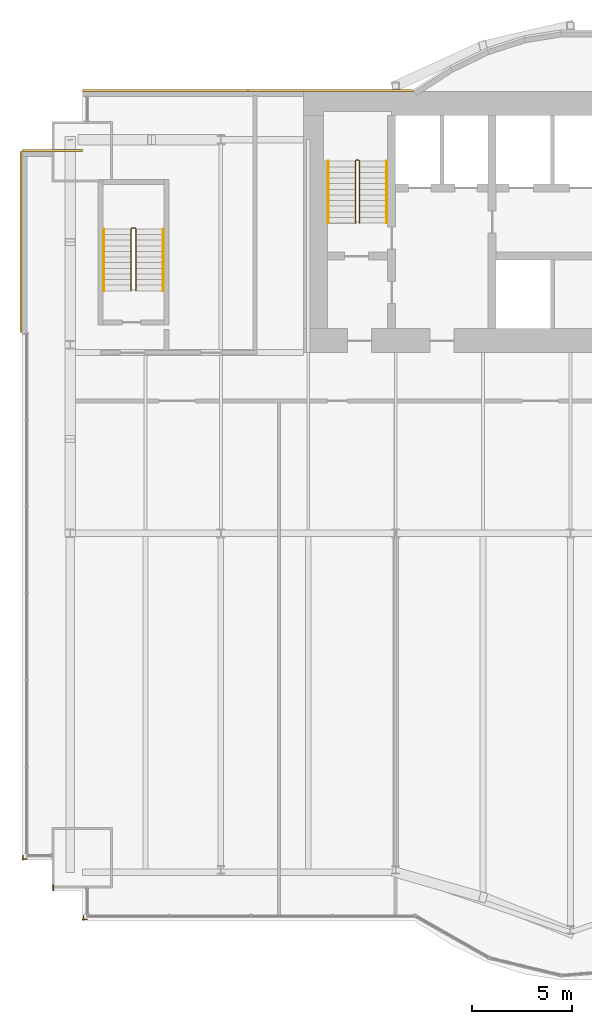
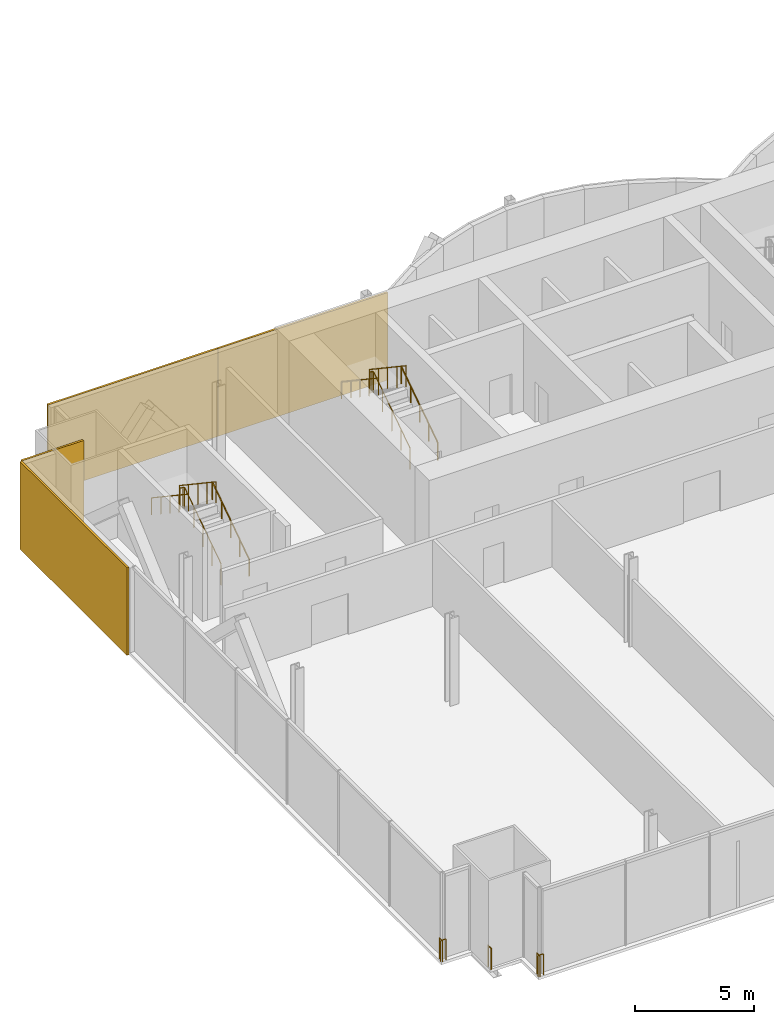
# One storey, part 19 of 21: 9 railings, 4 coverings.
"""IFC4 building model written with IfcOpenShell, lengths in metres."""

import ifcopenshell
import ifcopenshell.guid

model = None  # the IFC model being written
_history = None  # IfcOwnerHistory: only IFC2X3 demands one
_inside = {}  # id of a spatial element -> (the spatial element, [elements in it])
_under = {}  # id of a project, library or spatial element -> (it, [spatial elements below it])
_declared = {}  # id of a project -> (the project, [libraries it declares])
_typed = {}  # id of a type object -> (the type object, [elements of that type])
_made_of = {}  # id of a material, layer set ... -> (it, [elements and type objects made of it])


def new_model(schema):
    """Start an empty IFC model of exactly this schema.

    Asked for "IFC4X3", IfcOpenShell would pick the latest addendum, in which some entities
    have other attributes; the version numbers below select the first issue.
    IFC2X3 requires an IfcOwnerHistory on every rooted entity: one is made here for all.
    """
    global model, _history
    if schema == "IFC4X3":
        model = ifcopenshell.file(schema_version=(4, 3, 0, 0))
    else:
        model = ifcopenshell.file(schema=schema)
    _inside.clear()
    _under.clear()
    _declared.clear()
    _typed.clear()
    _made_of.clear()
    _history = None
    if model.schema == "IFC2X3":
        org = make("IfcOrganization", Name="unknown")
        user = make(
            "IfcPersonAndOrganization",
            ThePerson=make("IfcPerson", FamilyName="unknown"),
            TheOrganization=org,
        )
        app = make(
            "IfcApplication",
            ApplicationDeveloper=org,
            Version="unknown",
            ApplicationFullName="unknown",
            ApplicationIdentifier="unknown",
        )
        _history = make(
            "IfcOwnerHistory",
            OwningUser=user,
            OwningApplication=app,
            ChangeAction="ADDED",
            CreationDate=0,
        )
    return model


def make(cls, **values):
    """One entity of the class cls with the attributes given. An attribute that is None is left unset."""
    return model.create_entity(
        cls, **{name: value for name, value in values.items() if value is not None}
    )


def rooted(cls, **values):
    """An entity with a GlobalId (a new one), such as an element, a storey or a relation."""
    return make(cls, GlobalId=ifcopenshell.guid.new(), OwnerHistory=_history, **values)


def si_unit(unit_type, name, prefix=None):
    """IfcSIUnit, for example si_unit("LENGTHUNIT", "METRE", prefix="MILLI")."""
    return make("IfcSIUnit", UnitType=unit_type, Prefix=prefix, Name=name)


def assignment(units):
    """IfcUnitAssignment: the units of a project."""
    return None if units is None else make("IfcUnitAssignment", Units=units)


def point(xyz):
    """IfcCartesianPoint."""
    return None if xyz is None else make("IfcCartesianPoint", Coordinates=xyz)


def direction(xyz):
    """IfcDirection."""
    return None if xyz is None else make("IfcDirection", DirectionRatios=xyz)


def frame(location, z_axis=None, x_axis=None):
    """IfcAxis2Placement3D, a coordinate frame: its origin and axes. An axis left out is left unset."""
    return make(
        "IfcAxis2Placement3D",
        Location=point(location),
        Axis=direction(z_axis),
        RefDirection=direction(x_axis),
    )


def frame_2d(location, x_axis=None):
    """IfcAxis2Placement2D, a coordinate frame in the plane: its origin and x axis."""
    return make(
        "IfcAxis2Placement2D", Location=point(location), RefDirection=direction(x_axis)
    )


def origin():
    """The frame at (0, 0, 0) with its axes left unset."""
    return frame((0.0, 0.0, 0.0))


def origin_2d():
    """The frame at (0, 0) in the plane with its x axis left unset."""
    return frame_2d((0.0, 0.0))


def place(relative_to, where):
    """IfcLocalPlacement: puts the frame where relative to a parent placement (None: the world)."""
    return make(
        "IfcLocalPlacement", PlacementRelTo=relative_to, RelativePlacement=where
    )


def context(
    kind, dimensions, precision=None, world=None, true_north=None, identifier=None
):
    """IfcGeometricRepresentationContext, for example the 3D "Model" context."""
    return make(
        "IfcGeometricRepresentationContext",
        ContextIdentifier=identifier,
        ContextType=kind,
        CoordinateSpaceDimension=dimensions,
        Precision=precision,
        WorldCoordinateSystem=world,
        TrueNorth=true_north,
    )


def subcontext(parent, identifier, kind, view, scale=None):
    """IfcGeometricRepresentationSubContext, for example "Body" below "Model"."""
    return make(
        "IfcGeometricRepresentationSubContext",
        ContextIdentifier=identifier,
        ContextType=kind,
        ParentContext=parent,
        TargetScale=scale,
        TargetView=view,
    )


def project(units=None, contexts=None):
    """IfcProject with its units and contexts."""
    return rooted(
        "IfcProject",
        Name="project",
        RepresentationContexts=contexts,
        UnitsInContext=assignment(units),
    )


def spatial(cls, under=None, at=None, **own):
    """A site, building, storey or space (cls), placed at a placement, below another one or the project."""
    s = rooted(cls, ObjectPlacement=at, **own)
    if under is not None:
        _under.setdefault(under.id(), (under, []))[1].append(s)
    return s


def profile(cls, at=None, kind="AREA", **sizes):
    """A parametric profile (cls). Its sizes go by their IFC names, for example OverallWidth=200.0."""
    return make(cls, ProfileType=kind, Position=at, **sizes)


def rectangle(**sizes):
    """IfcRectangleProfileDef."""
    return profile("IfcRectangleProfileDef", **sizes)


def circle(**sizes):
    """IfcCircleProfileDef."""
    return profile("IfcCircleProfileDef", **sizes)


def extrude(swept, where, along, depth):
    """IfcExtrudedAreaSolid: the profile swept, set in the frame where, extruded along a direction by depth."""
    return make(
        "IfcExtrudedAreaSolid",
        SweptArea=swept,
        Position=where,
        ExtrudedDirection=direction(along),
        Depth=depth,
    )


def shape(context_of_items, identifier, shape_type, items):
    """IfcShapeRepresentation: the items that make up one representation, for example the "Body"."""
    return make(
        "IfcShapeRepresentation",
        ContextOfItems=context_of_items,
        RepresentationIdentifier=identifier,
        RepresentationType=shape_type,
        Items=items,
    )


def material(Name=None, Category=None):
    """IfcMaterial."""
    return make("IfcMaterial", Name=Name, Category=Category)


def layer(
    of_material, thickness, ventilated=None, Name=None, Category=None, Priority=None
):
    """IfcMaterialLayer: one layer of a wall or slab, of a material (None: an air gap)."""
    return make(
        "IfcMaterialLayer",
        Material=of_material,
        LayerThickness=thickness,
        IsVentilated=ventilated,
        Name=Name,
        Category=Category,
        Priority=Priority,
    )


def layer_set(layers, Name=None):
    """IfcMaterialLayerSet."""
    return make("IfcMaterialLayerSet", MaterialLayers=layers, LayerSetName=Name)


def made_of(thing, what):
    """Note that an element or type object is made of a material, layer set ...; save() writes the relation."""
    if what is not None:
        _made_of.setdefault(what.id(), (what, []))[1].append(thing)
    return thing


def type_object(cls, material=None, **own):
    """A type object (cls), such as IfcWallType, which elements share."""
    return made_of(rooted(cls, **own), material)


def element(
    cls,
    number,
    at=None,
    inside=None,
    cuts=None,
    type_object=None,
    material=None,
    context=None,
    identifier="Body",
    shape_type=None,
    held_by="IfcProductDefinitionShape",
    body=None,
    shapes=None,
    **own,
):
    """One element of the class cls, such as IfcWall. Its Tag is "e" and its number.

    at: its placement. inside: the storey or other place that contains it. cuts: it is an
    opening in that element (IfcRelVoidsElement). A single representation is given by context,
    identifier, shape_type and body (its items); several are given by shapes. held_by: the class
    of the entity that holds the representations. save() writes the other relations.
    """
    e = rooted(cls, Tag="e%d" % number, ObjectPlacement=at, **own)
    if body is not None:
        shapes = [shape(context, identifier, shape_type, body)]
    if shapes is not None:
        e.Representation = make(held_by, Representations=shapes)
    if inside is not None:
        _inside.setdefault(inside.id(), (inside, []))[1].append(e)
    if cuts is not None:
        rooted(
            "IfcRelVoidsElement", RelatingBuildingElement=cuts, RelatedOpeningElement=e
        )
    if type_object is not None:
        _typed.setdefault(type_object.id(), (type_object, []))[1].append(e)
    return made_of(e, material)


def aggregate(whole, parts):
    """IfcRelAggregates: a whole, such as a stair, and the parts it consists of."""
    return rooted("IfcRelAggregates", RelatingObject=whole, RelatedObjects=parts)


def save(model, path):
    """Write the relations noted so far, then the file.

    IfcRelAggregates (storeys below a building ...), IfcRelContainedInSpatialStructure (elements
    in a storey), IfcRelDefinesByType, IfcRelAssociatesMaterial and IfcRelDeclares: one each for
    every whole, place, type object, material and project.
    """
    for whole, parts in _under.values():
        aggregate(whole, parts)
    for where, things in _inside.values():
        rooted(
            "IfcRelContainedInSpatialStructure",
            RelatedElements=things,
            RelatingStructure=where,
        )
    for kind, things in _typed.values():
        rooted("IfcRelDefinesByType", RelatedObjects=things, RelatingType=kind)
    for what, things in _made_of.values():
        rooted("IfcRelAssociatesMaterial", RelatedObjects=things, RelatingMaterial=what)
    for by, libraries in _declared.values():
        rooted("IfcRelDeclares", RelatingContext=by, RelatedDefinitions=libraries)
    model.write(path)


model = new_model("IFC4")

# Units and contexts
model_context = context("Model", 3, precision=1e-05, world=origin(), true_north=direction((0.0, 1.0)))
body_context = subcontext(model_context, "Body", "Model", "MODEL_VIEW")
ifc_project = project(units=[si_unit("LENGTHUNIT", "METRE"), si_unit("AREAUNIT", "SQUARE_METRE"), si_unit("VOLUMEUNIT", "CUBIC_METRE"), si_unit("PLANEANGLEUNIT", "RADIAN"), si_unit("MASSUNIT", "GRAM", prefix="KILO")], contexts=[model_context])

# Site, building, storey
site_placement = place(None, origin())
site = spatial("IfcSite", under=ifc_project, at=site_placement, CompositionType="ELEMENT")
building_placement = place(site_placement, origin())
building = spatial("IfcBuilding", under=site, at=building_placement, Name="Bicima Exchange Tower", CompositionType="ELEMENT")
storey_placement = place(building_placement, frame((0.0, 0.0, 48.5)))
storey = spatial("IfcBuildingStorey", under=building, at=storey_placement, Name="L09", CompositionType="ELEMENT", Elevation=48.5)

# Coverings
ifc_material_1 = material(Name="Bronze metal cladding")
ifc_layer_1 = layer(ifc_material_1, 0.004)
ifc_material_2 = material(Name="Ventilated cavity")
ifc_layer_2 = layer(ifc_material_2, 0.06)
ifc_material_3 = material(Name="Galvanised steel rail and mineral wool", Category="steel")
ifc_layer_3 = layer(ifc_material_3, 0.036)
ifc_layer_set = layer_set([ifc_layer_1, ifc_layer_2, ifc_layer_3], Name="Ventilated cavity")
covering_type = type_object("IfcCoveringType", Name="Bronze metal cladding panel 100", PredefinedType="CLADDING", material=ifc_layer_set)
for number, where, z_axis, x_axis, name in (
    (1, (-20.625, 0.050048828125, -0.14990234375), (0.0, 0.0, 1.0), (-1.0, 0.0, 0.0), "Bronze cladding L09 20.1"),
    (2, (-28.875, 0.050048828125, -0.14990234375), (0.0, 0.0, 1.0), (-1.0, 0.0, 0.0), "Bronze cladding L09 20.2"),
):
    element("IfcCovering", number, at=place(storey_placement, frame(where, z_axis=z_axis, x_axis=x_axis)), inside=storey, type_object=covering_type, Name=name, PredefinedType="CLADDING", context=body_context, shape_type="SweptSolid", body=[
        extrude(rectangle(XDim=8.25, YDim=0.10009765625, at=origin_2d()), origin(), (0.0, 0.0, 1.0), 4.5),
    ])
covering_1_placement = place(storey_placement, frame((-34.5, -2.949951171875, -0.14990234375), z_axis=(0.0, 0.0, 1.0), x_axis=(-1.0, 0.0, 0.0)))
element("IfcCovering", 3, at=covering_1_placement, inside=storey, type_object=covering_type, Name="Bronze cladding L09 22.1", PredefinedType="CLADDING", context=body_context, shape_type="SweptSolid", body=[
    extrude(rectangle(XDim=3.0, YDim=0.10009765625, at=origin_2d()), origin(), (0.0, 0.0, 1.0), 4.5),
])
covering_2_placement = place(storey_placement, frame((-36.050048828125, -7.5, -0.14990234375), z_axis=(0.0, 0.0, 1.0), x_axis=(0.0, -1.0, 0.0)))
element("IfcCovering", 4, at=covering_2_placement, inside=storey, type_object=covering_type, Name="Bronze cladding L09 23.1", PredefinedType="CLADDING", context=body_context, shape_type="SweptSolid", body=[
    extrude(rectangle(XDim=9.0, YDim=0.10009765625, at=origin_2d()), origin(), (0.0, 0.0, 1.0), 4.5),
])

# Railings
ifc_material_4 = material(Name="Stainless steel and bonded safety glass", Category="steel")
railing_type_1 = type_object("IfcRailingType", Name="Edge guard 1100", PredefinedType="GUARDRAIL", material=ifc_material_4)
railing_1_placement = place(storey_placement, frame((-35.75, -38.218017578125, 0.0)))
element("IfcRailing", 5, at=railing_1_placement, inside=storey, type_object=railing_type_1, Name="Edge guard L09 33", PredefinedType="GUARDRAIL", context=body_context, shape_type="SweptSolid", body=[
    extrude(circle(Radius=0.02392578125, at=origin_2d()), frame((0.0, 0.0, 1.076171875), z_axis=(-1.0, 0.0, 0.0), x_axis=(0.0, -1.0, 0.0)), (0.0, 0.0, 1.0), 0.25),
    extrude(circle(Radius=0.02392578125, at=origin_2d()), frame((-0.25, 0.0, 1.076171875), z_axis=(0.707106781187, -0.707106781187, 0.0), x_axis=(0.707106781187, 0.707106781187, 0.0)), (0.0, 0.0, 1.0), 0.07080078125),
    extrude(circle(Radius=0.02392578125, at=origin_2d()), frame((-0.199951171875, -0.050048828125, 1.076171875), z_axis=(0.0, 1.0, 0.0), x_axis=(-1.0, 0.0, 0.0)), (0.0, 0.0, 1.0), 0.248046875),
    extrude(circle(Radius=0.02099609375, at=origin_2d()), origin(), (0.0, 0.0, 1.0), 1.052001953125),
    extrude(circle(Radius=0.02099609375, at=origin_2d()), frame((-0.25, 0.0, 0.0)), (0.0, 0.0, 1.0), 1.052001953125),
    extrude(circle(Radius=0.02099609375, at=origin_2d()), frame((-0.199951171875, -0.050048828125, 0.0)), (0.0, 0.0, 1.0), 1.052001953125),
    extrude(circle(Radius=0.02099609375, at=origin_2d()), frame((-0.199951171875, 0.197998046875, 0.0)), (0.0, 0.0, 1.0), 1.052001953125),
])
railing_2_placement = place(storey_placement, frame((-32.75, -41.218017578125, 0.0)))
element("IfcRailing", 6, at=railing_2_placement, inside=storey, type_object=railing_type_1, Name="Edge guard L09 37", PredefinedType="GUARDRAIL", context=body_context, shape_type="SweptSolid", body=[
    extrude(circle(Radius=0.02392578125, at=origin_2d()), frame((0.0, 0.0, 1.076171875), z_axis=(-1.0, 0.0, 0.0), x_axis=(0.0, -1.0, 0.0)), (0.0, 0.0, 1.0), 0.25),
    extrude(circle(Radius=0.02392578125, at=origin_2d()), frame((-0.25, 0.0, 1.076171875), z_axis=(0.707106781187, -0.707106781187, 0.0), x_axis=(0.707106781187, 0.707106781187, 0.0)), (0.0, 0.0, 1.0), 0.07080078125),
    extrude(circle(Radius=0.02392578125, at=origin_2d()), frame((-0.199951171875, -0.050048828125, 1.076171875), z_axis=(0.0, 1.0, 0.0), x_axis=(-1.0, 0.0, 0.0)), (0.0, 0.0, 1.0), 0.25),
    extrude(circle(Radius=0.02099609375, at=origin_2d()), origin(), (0.0, 0.0, 1.0), 1.052001953125),
    extrude(circle(Radius=0.02099609375, at=origin_2d()), frame((-0.25, 0.0, 0.0)), (0.0, 0.0, 1.0), 1.052001953125),
    extrude(circle(Radius=0.02099609375, at=origin_2d()), frame((-0.199951171875, -0.050048828125, 0.0)), (0.0, 0.0, 1.0), 1.052001953125),
    extrude(circle(Radius=0.02099609375, at=origin_2d()), frame((-0.199951171875, 0.199951171875, 0.0)), (0.0, 0.0, 1.0), 1.052001953125),
])
railing_3_placement = place(storey_placement, frame((-34.449951171875, -39.76806640625, 0.0)))
element("IfcRailing", 7, at=railing_3_placement, inside=storey, type_object=railing_type_1, Name="Edge guard L09 38", PredefinedType="GUARDRAIL", context=body_context, shape_type="SweptSolid", body=[
    extrude(circle(Radius=0.02392578125, at=origin_2d()), frame((0.0, 0.0, 1.076171875), z_axis=(0.0, 1.0, 0.0), x_axis=(-1.0, 0.0, 0.0)), (0.0, 0.0, 1.0), 0.25),
    extrude(circle(Radius=0.02099609375, at=origin_2d()), origin(), (0.0, 0.0, 1.0), 1.052001953125),
    extrude(circle(Radius=0.02099609375, at=origin_2d()), frame((0.0, 0.25, 0.0)), (0.0, 0.0, 1.0), 1.052001953125),
])
ifc_material_5 = material(Name="Stainless steel", Category="steel")
railing_type_2 = type_object("IfcRailingType", Name="Stair guard 1100", PredefinedType="GUARDRAIL", material=ifc_material_5)
railing_4_placement = place(storey_placement, frame((-19.199951171875, -6.550048828125, 0.1875)))
element("IfcRailing", 8, at=railing_4_placement, inside=storey, type_object=railing_type_2, Name="L09 ST-W stair guard 1", PredefinedType="GUARDRAIL", context=body_context, shape_type="SweptSolid", body=[
    extrude(circle(Radius=0.02392578125, at=origin_2d()), frame((0.0, 0.0, 1.076171875), z_axis=(0.0, 0.830913701846, 0.55640131208), x_axis=(-1.0, 0.0, 0.0)), (0.0, 0.0, 1.0), 3.706787109375),
    extrude(circle(Radius=0.02392578125, at=origin_2d()), frame((0.0, 3.080078125, 3.138671875), z_axis=(-0.707106781187, 0.707106781187, 0.0), x_axis=(-0.707106781187, -0.707106781187, 0.0)), (0.0, 0.0, 1.0), 0.07080078125),
    extrude(circle(Radius=0.02392578125, at=origin_2d()), frame((-0.050048828125, 3.130126953125, 3.138671875), z_axis=(-1.0, 0.0, 0.0), x_axis=(0.0, -1.0, 0.0)), (0.0, 0.0, 1.0), 0.10009765625),
    extrude(circle(Radius=0.02392578125, at=origin_2d()), frame((-0.150146484375, 3.130126953125, 3.138671875), z_axis=(-0.248583702486, -0.249802250048, 0.935844527007), x_axis=(0.708833529934, -0.705375805398, 0.0)), (0.0, 0.0, 1.0), 0.200439453125),
    extrude(circle(Radius=0.02392578125, at=origin_2d()), frame((-0.199951171875, 3.080078125, 3.326171875), z_axis=(0.0, -0.830913701846, 0.55640131208), x_axis=(1.0, 0.0, 0.0)), (0.0, 0.0, 1.0), 3.706787109375),
    extrude(circle(Radius=0.02099609375, at=origin_2d()), origin(), (0.0, 0.0, 1.0), 1.052001953125),
    extrude(circle(Radius=0.02099609375, at=origin_2d()), frame((0.0, 0.77001953125, 0.515625)), (0.0, 0.0, 1.0), 1.052001953125),
    extrude(circle(Radius=0.02099609375, at=origin_2d()), frame((0.0, 1.5400390625, 1.03125)), (0.0, 0.0, 1.0), 1.052001953125),
    extrude(circle(Radius=0.02099609375, at=origin_2d()), frame((0.0, 2.31005859375, 1.546875)), (0.0, 0.0, 1.0), 1.052001953125),
    extrude(circle(Radius=0.02099609375, at=origin_2d()), frame((0.0, 3.080078125, 2.0625)), (0.0, 0.0, 1.0), 1.052001953125),
    extrude(circle(Radius=0.02099609375, at=origin_2d()), frame((-0.050048828125, 3.130126953125, 2.0625)), (0.0, 0.0, 1.0), 1.052001953125),
    extrude(circle(Radius=0.02099609375, at=origin_2d()), frame((-0.150146484375, 3.130126953125, 2.0625)), (0.0, 0.0, 1.0), 1.052001953125),
    extrude(circle(Radius=0.02099609375, at=origin_2d()), frame((-0.199951171875, 3.080078125, 2.25)), (0.0, 0.0, 1.0), 1.052001953125),
    extrude(circle(Radius=0.02099609375, at=origin_2d()), frame((-0.199951171875, 2.31005859375, 2.765625)), (0.0, 0.0, 1.0), 1.052001953125),
    extrude(circle(Radius=0.02099609375, at=origin_2d()), frame((-0.199951171875, 1.5400390625, 3.28125)), (0.0, 0.0, 1.0), 1.052001953125),
    extrude(circle(Radius=0.02099609375, at=origin_2d()), frame((-0.199951171875, 0.77001953125, 3.796875)), (0.0, 0.0, 1.0), 1.052001953125),
    extrude(circle(Radius=0.02099609375, at=origin_2d()), frame((-0.199951171875, 0.0, 4.3125)), (0.0, 0.0, 1.0), 1.052001953125),
])
railing_5_placement = place(storey_placement, frame((-30.324951171875, -9.925048828125, 0.1875)))
element("IfcRailing", 9, at=railing_5_placement, inside=storey, type_object=railing_type_2, Name="L09 ST-WW stair guard 1", PredefinedType="GUARDRAIL", context=body_context, shape_type="SweptSolid", body=[
    extrude(circle(Radius=0.02392578125, at=origin_2d()), frame((0.0, 0.0, 1.076171875), z_axis=(0.0, 0.830913701846, 0.55640131208), x_axis=(-1.0, 0.0, 0.0)), (0.0, 0.0, 1.0), 3.706787109375),
    extrude(circle(Radius=0.02392578125, at=origin_2d()), frame((0.0, 3.080078125, 3.138671875), z_axis=(-0.707106781187, 0.707106781187, 0.0), x_axis=(-0.707106781187, -0.707106781187, 0.0)), (0.0, 0.0, 1.0), 0.07080078125),
    extrude(circle(Radius=0.02392578125, at=origin_2d()), frame((-0.050048828125, 3.130126953125, 3.138671875), z_axis=(-1.0, 0.0, 0.0), x_axis=(0.0, -1.0, 0.0)), (0.0, 0.0, 1.0), 0.14990234375),
    extrude(circle(Radius=0.02392578125, at=origin_2d()), frame((-0.199951171875, 3.130126953125, 3.138671875), z_axis=(-0.249726431254, -0.249726431254, 0.935560483917), x_axis=(0.707106781187, -0.707106781187, 0.0)), (0.0, 0.0, 1.0), 0.200439453125),
    extrude(circle(Radius=0.02392578125, at=origin_2d()), frame((-0.25, 3.080078125, 3.326171875), z_axis=(0.0, -0.830913701846, 0.55640131208), x_axis=(1.0, 0.0, 0.0)), (0.0, 0.0, 1.0), 3.706787109375),
    extrude(circle(Radius=0.02099609375, at=origin_2d()), origin(), (0.0, 0.0, 1.0), 1.052001953125),
    extrude(circle(Radius=0.02099609375, at=origin_2d()), frame((0.0, 0.77001953125, 0.515625)), (0.0, 0.0, 1.0), 1.052001953125),
    extrude(circle(Radius=0.02099609375, at=origin_2d()), frame((0.0, 1.5400390625, 1.03125)), (0.0, 0.0, 1.0), 1.052001953125),
    extrude(circle(Radius=0.02099609375, at=origin_2d()), frame((0.0, 2.31005859375, 1.546875)), (0.0, 0.0, 1.0), 1.052001953125),
    extrude(circle(Radius=0.02099609375, at=origin_2d()), frame((0.0, 3.080078125, 2.0625)), (0.0, 0.0, 1.0), 1.052001953125),
    extrude(circle(Radius=0.02099609375, at=origin_2d()), frame((-0.050048828125, 3.130126953125, 2.0625)), (0.0, 0.0, 1.0), 1.052001953125),
    extrude(circle(Radius=0.02099609375, at=origin_2d()), frame((-0.199951171875, 3.130126953125, 2.0625)), (0.0, 0.0, 1.0), 1.052001953125),
    extrude(circle(Radius=0.02099609375, at=origin_2d()), frame((-0.25, 3.080078125, 2.25)), (0.0, 0.0, 1.0), 1.052001953125),
    extrude(circle(Radius=0.02099609375, at=origin_2d()), frame((-0.25, 2.31005859375, 2.765625)), (0.0, 0.0, 1.0), 1.052001953125),
    extrude(circle(Radius=0.02099609375, at=origin_2d()), frame((-0.25, 1.5400390625, 3.28125)), (0.0, 0.0, 1.0), 1.052001953125),
    extrude(circle(Radius=0.02099609375, at=origin_2d()), frame((-0.25, 0.77001953125, 3.796875)), (0.0, 0.0, 1.0), 1.052001953125),
    extrude(circle(Radius=0.02099609375, at=origin_2d()), frame((-0.25, 0.0, 4.3125)), (0.0, 0.0, 1.0), 1.052001953125),
])
railing_type_3 = type_object("IfcRailingType", Name="Stair handrail 900", PredefinedType="HANDRAIL", material=ifc_material_5)
railing_6_placement = place(storey_placement, frame((-17.85009765625, -6.550048828125, 0.1875)))
element("IfcRailing", 10, at=railing_6_placement, inside=storey, type_object=railing_type_3, Name="L09 ST-W stair handrail 1", PredefinedType="HANDRAIL", context=body_context, shape_type="SweptSolid", body=[
    extrude(circle(Radius=0.02392578125, at=origin_2d()), frame((0.0, 0.0, 0.8759765625), z_axis=(0.0, 0.830913701846, 0.55640131208), x_axis=(-1.0, 0.0, 0.0)), (0.0, 0.0, 1.0), 3.706787109375),
    extrude(circle(Radius=0.02099609375, at=origin_2d()), origin(), (0.0, 0.0, 1.0), 0.851806640625),
    extrude(circle(Radius=0.02099609375, at=origin_2d()), frame((0.0, 0.77001953125, 0.515625)), (0.0, 0.0, 1.0), 0.851806640625),
    extrude(circle(Radius=0.02099609375, at=origin_2d()), frame((0.0, 1.5400390625, 1.03125)), (0.0, 0.0, 1.0), 0.851806640625),
    extrude(circle(Radius=0.02099609375, at=origin_2d()), frame((0.0, 2.31005859375, 1.546875)), (0.0, 0.0, 1.0), 0.851806640625),
    extrude(circle(Radius=0.02099609375, at=origin_2d()), frame((0.0, 3.080078125, 2.0625)), (0.0, 0.0, 1.0), 0.851806640625),
])
railing_7_placement = place(storey_placement, frame((-20.75, -3.469970703125, 2.47900390625)))
element("IfcRailing", 11, at=railing_7_placement, inside=storey, type_object=railing_type_3, Name="L09 ST-W stair handrail 2", PredefinedType="HANDRAIL", context=body_context, shape_type="SweptSolid", body=[
    extrude(circle(Radius=0.02392578125, at=origin_2d()), frame((0.0, 0.0, 0.8759765625), z_axis=(0.0, -0.830913701846, 0.55640131208), x_axis=(1.0, 0.0, 0.0)), (0.0, 0.0, 1.0), 3.706787109375),
    extrude(circle(Radius=0.02099609375, at=origin_2d()), origin(), (0.0, 0.0, 1.0), 0.851806640625),
    extrude(circle(Radius=0.02099609375, at=origin_2d()), frame((0.0, -0.77001953125, 0.515625)), (0.0, 0.0, 1.0), 0.851806640625),
    extrude(circle(Radius=0.02099609375, at=origin_2d()), frame((0.0, -1.5400390625, 1.03125)), (0.0, 0.0, 1.0), 0.851806640625),
    extrude(circle(Radius=0.02099609375, at=origin_2d()), frame((0.0, -2.31005859375, 1.546875)), (0.0, 0.0, 1.0), 0.851806640625),
    extrude(circle(Radius=0.02099609375, at=origin_2d()), frame((0.0, -3.080078125, 2.0625)), (0.0, 0.0, 1.0), 0.851806640625),
])
railing_8_placement = place(storey_placement, frame((-28.97509765625, -9.925048828125, 0.1875)))
element("IfcRailing", 12, at=railing_8_placement, inside=storey, type_object=railing_type_3, Name="L09 ST-WW stair handrail 1", PredefinedType="HANDRAIL", context=body_context, shape_type="SweptSolid", body=[
    extrude(circle(Radius=0.02392578125, at=origin_2d()), frame((0.0, 0.0, 0.8759765625), z_axis=(0.0, 0.830913701846, 0.55640131208), x_axis=(-1.0, 0.0, 0.0)), (0.0, 0.0, 1.0), 3.706787109375),
    extrude(circle(Radius=0.02099609375, at=origin_2d()), origin(), (0.0, 0.0, 1.0), 0.851806640625),
    extrude(circle(Radius=0.02099609375, at=origin_2d()), frame((0.0, 0.77001953125, 0.515625)), (0.0, 0.0, 1.0), 0.851806640625),
    extrude(circle(Radius=0.02099609375, at=origin_2d()), frame((0.0, 1.5400390625, 1.03125)), (0.0, 0.0, 1.0), 0.851806640625),
    extrude(circle(Radius=0.02099609375, at=origin_2d()), frame((0.0, 2.31005859375, 1.546875)), (0.0, 0.0, 1.0), 0.851806640625),
    extrude(circle(Radius=0.02099609375, at=origin_2d()), frame((0.0, 3.080078125, 2.0625)), (0.0, 0.0, 1.0), 0.851806640625),
])
railing_9_placement = place(storey_placement, frame((-31.925048828125, -6.844970703125, 2.47900390625)))
element("IfcRailing", 13, at=railing_9_placement, inside=storey, type_object=railing_type_3, Name="L09 ST-WW stair handrail 2", PredefinedType="HANDRAIL", context=body_context, shape_type="SweptSolid", body=[
    extrude(circle(Radius=0.02392578125, at=origin_2d()), frame((0.0, 0.0, 0.8759765625), z_axis=(0.0, -0.830913701846, 0.55640131208), x_axis=(1.0, 0.0, 0.0)), (0.0, 0.0, 1.0), 3.706787109375),
    extrude(circle(Radius=0.02099609375, at=origin_2d()), origin(), (0.0, 0.0, 1.0), 0.851806640625),
    extrude(circle(Radius=0.02099609375, at=origin_2d()), frame((0.0, -0.77001953125, 0.515625)), (0.0, 0.0, 1.0), 0.851806640625),
    extrude(circle(Radius=0.02099609375, at=origin_2d()), frame((0.0, -1.5400390625, 1.03125)), (0.0, 0.0, 1.0), 0.851806640625),
    extrude(circle(Radius=0.02099609375, at=origin_2d()), frame((0.0, -2.31005859375, 1.546875)), (0.0, 0.0, 1.0), 0.851806640625),
    extrude(circle(Radius=0.02099609375, at=origin_2d()), frame((0.0, -3.080078125, 2.0625)), (0.0, 0.0, 1.0), 0.851806640625),
])

save(model, "model.ifc")
